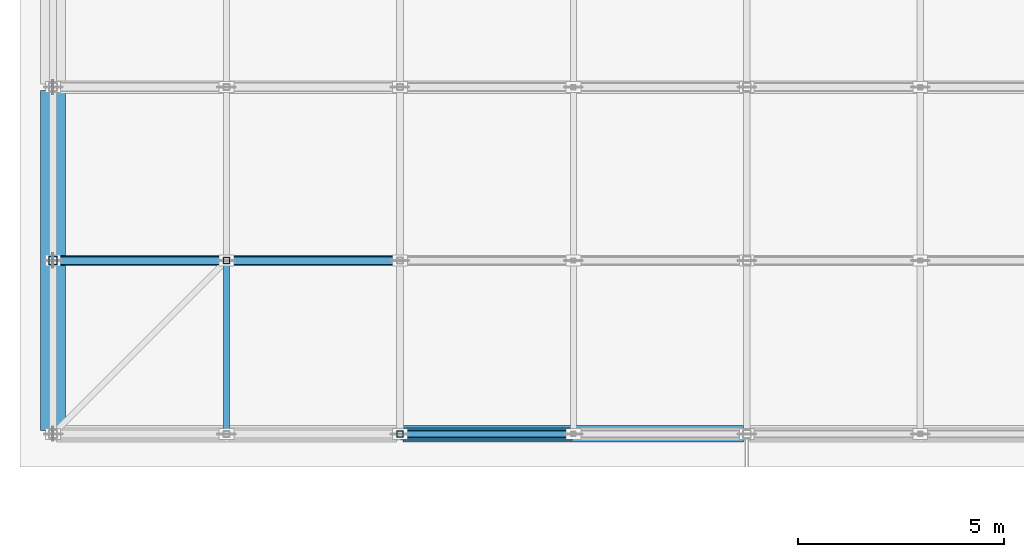
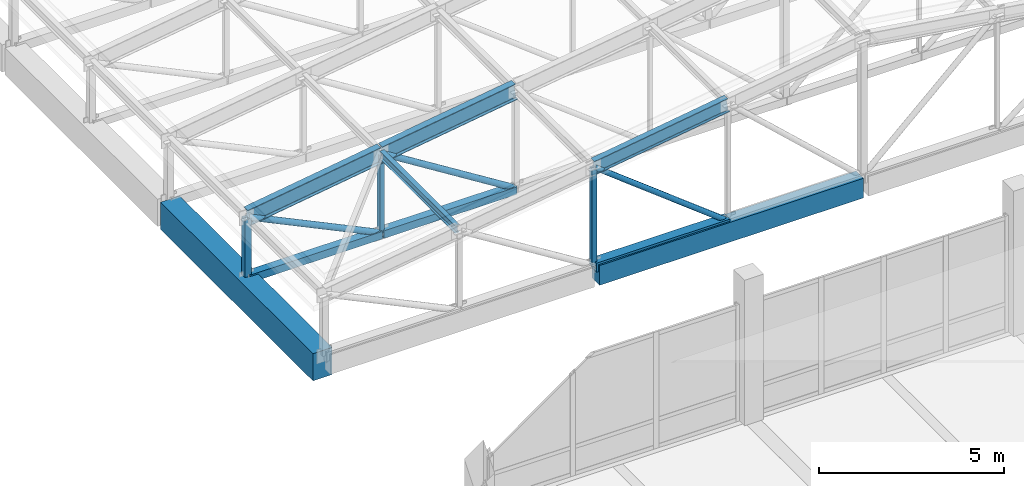
# One storey, part 24 of 122: 13 members, 2 beams.
"""IFC4 building model written with IfcOpenShell, lengths in metres."""

from ifc_helpers import new_model, si_unit, direction, frame, origin, origin_2d, place, context, subcontext, project, spatial, rectangle, hollow_rectangle, hollow_circle, i_section, extrude, material, material_profile, profile_set, type_object, element, save


model = new_model("IFC4")

# Units and contexts
model_context = context("Model", 3, precision=1e-05, world=origin(), true_north=direction((0.0, 1.0)))
body_context = subcontext(model_context, "Body", "Model", "MODEL_VIEW")
ifc_project = project(units=[si_unit("LENGTHUNIT", "METRE"), si_unit("AREAUNIT", "SQUARE_METRE"), si_unit("VOLUMEUNIT", "CUBIC_METRE"), si_unit("PLANEANGLEUNIT", "RADIAN"), si_unit("MASSUNIT", "GRAM", prefix="KILO")], contexts=[model_context])

# Site, building, storey
site_placement = place(None, origin())
site = spatial("IfcSite", under=ifc_project, at=site_placement, CompositionType="ELEMENT")
building_placement = place(site_placement, origin())
building = spatial("IfcBuilding", under=site, at=building_placement, Name="Telukmera Botanical Conservatory", CompositionType="ELEMENT")
storey_placement = place(building_placement, frame((0.0, 0.0, 10.199951171875)))
storey = spatial("IfcBuildingStorey", under=building, at=storey_placement, Name="L02", CompositionType="ELEMENT", Elevation=10.199951171875)

# Beams
ifc_material_1 = material(Name="Concrete C40/50", Category="concrete")
ifc_material_profile_1 = material_profile(ifc_material_1, rectangle(XDim=0.60009765625, YDim=0.89990234375, at=origin_2d()), Name="RC 600x900")
ifc_profile_set_1 = profile_set([ifc_material_profile_1], Name="Concrete C40/50")
beam_type_1 = type_object("IfcBeamType", Name="Beam_B3", PredefinedType="BEAM", material=ifc_profile_set_1)
beam_1_placement = place(storey_placement, frame((8.39990234375, 83.280029296875, -0.449951171875), z_axis=(0.0, 1.0, 0.0), x_axis=(-1.0, 0.0, 0.0)))
element("IfcBeam", 1, at=beam_1_placement, inside=storey, type_object=beam_type_1, Name="Auditorium Frame Beam beam:V2:L02:eave:84:832", PredefinedType="BEAM", context=body_context, shape_type="SweptSolid", body=[
    extrude(rectangle(XDim=0.60009765625, YDim=0.89990234375, at=origin_2d()), origin(), (0.0, 0.0, 1.0), 8.239990234375),
])
ifc_material_profile_2 = material_profile(ifc_material_1, rectangle(XDim=0.39990234375, YDim=0.64990234375, at=origin_2d()), Name="RC 400x650")
ifc_profile_set_2 = profile_set([ifc_material_profile_2], Name="Concrete C40/50")
beam_type_2 = type_object("IfcBeamType", Name="Beam_B8", PredefinedType="BEAM", material=ifc_profile_set_2)
beam_2_placement = place(storey_placement, frame((16.8798828125, 83.199951171875, -0.324951171875), z_axis=(1.0, 0.0, 0.0), x_axis=(0.0, 1.0, 0.0)))
element("IfcBeam", 2, at=beam_2_placement, inside=storey, type_object=beam_type_2, Name="Auditorium Frame Beam beam:V2:L02:port_x:832:168", PredefinedType="BEAM", context=body_context, shape_type="SweptSolid", body=[
    extrude(rectangle(XDim=0.39990234375, YDim=0.64990234375, at=origin_2d()), origin(), (0.0, 0.0, 1.0), 8.240234375),
])

# Members
ifc_material_2 = material(Name="Steel S355", Category="steel")
ifc_material_profile_3 = material_profile(ifc_material_2, i_section(OverallWidth=0.210693359375, OverallDepth=0.53955078125, WebThickness=0.01171875, FlangeThickness=0.018798828125, FilletRadius=0.0126953125, at=origin_2d()), Name="UB 533x210x109")
ifc_profile_set_3 = profile_set([ifc_material_profile_3], Name="Steel S355")
member_type_1 = type_object("IfcMemberType", Name="Mem_TC1", PredefinedType="CHORD", material=ifc_profile_set_3)
member_1_placement = place(storey_placement, frame((8.419921875, 87.39990234375, 1.923095703125), z_axis=(0.989021335912, 0.0, 0.147772788805), x_axis=(0.0, 1.0, 0.0)))
element("IfcMember", 3, at=member_1_placement, inside=storey, type_object=member_type_1, Name="Auditorium Pratt Truss Top Chord T2-1", PredefinedType="CHORD", context=body_context, shape_type="SweptSolid", body=[
    extrude(i_section(OverallWidth=0.210693359375, OverallDepth=0.53955078125, WebThickness=0.01171875, FlangeThickness=0.018798828125, FilletRadius=0.0126953125, at=origin_2d()), origin(), (0.0, 0.0, 1.0), 4.206298828125),
])
member_2_placement = place(storey_placement, frame((12.619873046875, 87.39990234375, 2.55078125), z_axis=(0.989022603236, 0.0, 0.147764306545), x_axis=(0.0, 1.0, 0.0)))
element("IfcMember", 4, at=member_2_placement, inside=storey, type_object=member_type_1, Name="Auditorium Pratt Truss Top Chord T2-2", PredefinedType="CHORD", context=body_context, shape_type="SweptSolid", body=[
    extrude(i_section(OverallWidth=0.210693359375, OverallDepth=0.53955078125, WebThickness=0.01171875, FlangeThickness=0.018798828125, FilletRadius=0.0126953125, at=origin_2d()), origin(), (0.0, 0.0, 1.0), 4.20654296875),
])
ifc_material_profile_4 = material_profile(ifc_material_2, hollow_rectangle(XDim=0.25, YDim=0.25, WallThickness=0.012451171875, at=origin_2d()), Name="SHS 250x250x12.5")
ifc_profile_set_4 = profile_set([ifc_material_profile_4], Name="Steel S355")
member_type_2 = type_object("IfcMemberType", Name="Mem_TC2", PredefinedType="CHORD", material=ifc_profile_set_4)
member_3_placement = place(storey_placement, frame((8.39990234375, 87.39990234375, -0.079833984375), z_axis=(1.0, 0.0, 0.0), x_axis=(0.0, 1.0, 0.0)))
element("IfcMember", 5, at=member_3_placement, inside=storey, type_object=member_type_2, Name="Auditorium Pratt Truss Bottom Chord T2-1", PredefinedType="CHORD", context=body_context, shape_type="SweptSolid", body=[
    extrude(hollow_rectangle(XDim=0.25, YDim=0.25, WallThickness=0.012451171875, at=origin_2d()), origin(), (0.0, 0.0, 1.0), 4.18017578125),
])
member_4_placement = place(storey_placement, frame((12.6201171875, 87.39990234375, -0.079833984375), z_axis=(1.0, 0.0, 0.0), x_axis=(0.0, 1.0, 0.0)))
element("IfcMember", 6, at=member_4_placement, inside=storey, type_object=member_type_2, Name="Auditorium Pratt Truss Bottom Chord T2-2", PredefinedType="CHORD", context=body_context, shape_type="SweptSolid", body=[
    extrude(hollow_rectangle(XDim=0.25, YDim=0.25, WallThickness=0.012451171875, at=origin_2d()), origin(), (0.0, 0.0, 1.0), 4.159912109375),
])
ifc_material_profile_5 = material_profile(ifc_material_2, hollow_rectangle(XDim=0.300048828125, YDim=0.300048828125, WallThickness=0.012451171875, at=origin_2d()), Name="SHS 300x300x12.5")
ifc_profile_set_5 = profile_set([ifc_material_profile_5], Name="Steel S355")
member_type_3 = type_object("IfcMemberType", Name="Mem_TC3", PredefinedType="CHORD", material=ifc_profile_set_5)
member_5_placement = place(storey_placement, frame((16.820068359375, 83.199951171875, -0.079833984375), z_axis=(1.0, 0.0, 0.0), x_axis=(0.0, 1.0, 0.0)))
element("IfcMember", 7, at=member_5_placement, inside=storey, type_object=member_type_3, Name="Auditorium Pratt Truss Bottom Chord T1-3", PredefinedType="CHORD", context=body_context, shape_type="SweptSolid", body=[
    extrude(hollow_rectangle(XDim=0.300048828125, YDim=0.300048828125, WallThickness=0.012451171875, at=origin_2d()), origin(), (0.0, 0.0, 1.0), 4.159912109375),
])
ifc_material_profile_6 = material_profile(ifc_material_2, i_section(OverallWidth=0.19140625, OverallDepth=0.4599609375, WebThickness=0.010009765625, FlangeThickness=0.01611328125, FilletRadius=0.01025390625, at=origin_2d()), Name="UB 457x191x82")
ifc_profile_set_6 = profile_set([ifc_material_profile_6], Name="Steel S355")
member_type_4 = type_object("IfcMemberType", Name="Mem_TC4", PredefinedType="CHORD", material=ifc_profile_set_6)
member_6_placement = place(storey_placement, frame((16.81982421875, 83.199951171875, 3.178466796875), z_axis=(0.989022603236, 0.0, 0.147764306545), x_axis=(0.0, 1.0, 0.0)))
element("IfcMember", 8, at=member_6_placement, inside=storey, type_object=member_type_4, Name="Auditorium Pratt Truss Top Chord T1-3", PredefinedType="CHORD", context=body_context, shape_type="SweptSolid", body=[
    extrude(i_section(OverallWidth=0.19140625, OverallDepth=0.4599609375, WebThickness=0.010009765625, FlangeThickness=0.01611328125, FilletRadius=0.01025390625, at=origin_2d()), origin(), (0.0, 0.0, 1.0), 4.20654296875),
])
ifc_material_profile_7 = material_profile(ifc_material_2, hollow_circle(Radius=0.096923828125, WallThickness=0.008056640625, at=origin_2d()), Name="CHS 193.7x8.0")
ifc_profile_set_7 = profile_set([ifc_material_profile_7], Name="Steel S355")
member_type_5 = type_object("IfcMemberType", Name="Mem_TD1", PredefinedType="BRACE", material=ifc_profile_set_7)
member_7_placement = place(storey_placement, frame((8.427001953125, 87.39990234375, 1.9072265625), z_axis=(0.902853639645, 0.0, -0.42994802637), x_axis=(0.0, 1.0, 0.0)))
element("IfcMember", 9, at=member_7_placement, inside=storey, type_object=member_type_5, Name="Auditorium Pratt Truss Web Diagonal T2-D1", PredefinedType="BRACE", context=body_context, shape_type="SweptSolid", body=[
    extrude(hollow_circle(Radius=0.096923828125, WallThickness=0.008056640625, at=origin_2d()), origin(), (0.0, 0.0, 1.0), 4.592041015625),
])
member_8_placement = place(storey_placement, frame((12.62548828125, 87.39990234375, 2.53173828125), z_axis=(0.84777122797, 0.0, -0.530362088601), x_axis=(0.0, 1.0, 0.0)))
element("IfcMember", 10, at=member_8_placement, inside=storey, type_object=member_type_5, Name="Auditorium Pratt Truss Web Diagonal T2-D2", PredefinedType="BRACE", context=body_context, shape_type="SweptSolid", body=[
    extrude(hollow_circle(Radius=0.096923828125, WallThickness=0.008056640625, at=origin_2d()), origin(), (0.0, 0.0, 1.0), 4.894287109375),
])
ifc_material_profile_8 = material_profile(ifc_material_2, hollow_circle(Radius=0.084228515625, WallThickness=0.008056640625, at=origin_2d()), Name="CHS 168.3x8.0")
ifc_profile_set_8 = profile_set([ifc_material_profile_8], Name="Steel S355")
member_type_6 = type_object("IfcMemberType", Name="Mem_TD2", PredefinedType="BRACE", material=ifc_profile_set_8)
member_9_placement = place(storey_placement, frame((16.82373046875, 83.199951171875, 3.156982421875), z_axis=(0.790391989469, 0.0, -0.61260142261), x_axis=(0.0, 1.0, 0.0)))
element("IfcMember", 11, at=member_9_placement, inside=storey, type_object=member_type_6, Name="Auditorium Pratt Truss Web Diagonal T1-D3", PredefinedType="BRACE", context=body_context, shape_type="SweptSolid", body=[
    extrude(hollow_circle(Radius=0.084228515625, WallThickness=0.008056640625, at=origin_2d()), origin(), (0.0, 0.0, 1.0), 5.25390625),
])
ifc_material_profile_9 = material_profile(ifc_material_2, i_section(OverallWidth=0.146484375, OverallDepth=0.256103515625, WebThickness=0.00634765625, FlangeThickness=0.010986328125, FilletRadius=0.007568359375, at=origin_2d()), Name="UB 254x146x37")
ifc_profile_set_9 = profile_set([ifc_material_profile_9], Name="Steel S355")
member_type_7 = type_object("IfcMemberType", Name="Mem_TPB2", PredefinedType="PURLIN", material=ifc_profile_set_9)
member_10_placement = place(storey_placement, frame((12.60009765625, 83.260009765625, 2.5478515625), z_axis=(0.0, 1.0, 0.0), x_axis=(-1.0, 0.0, 0.0)))
element("IfcMember", 12, at=member_10_placement, inside=storey, type_object=member_type_7, Name="Auditorium Roof Steel Purlin P1-1", PredefinedType="PURLIN", context=body_context, shape_type="SweptSolid", body=[
    extrude(i_section(OverallWidth=0.146484375, OverallDepth=0.256103515625, WebThickness=0.00634765625, FlangeThickness=0.010986328125, FilletRadius=0.007568359375, at=origin_2d()), origin(), (0.0, 0.0, 1.0), 4.080078125),
])
ifc_material_profile_10 = material_profile(ifc_material_2, hollow_rectangle(XDim=0.199951171875, YDim=0.199951171875, WallThickness=0.010009765625, at=origin_2d()), Name="SHS 200x200x10.0")
ifc_profile_set_10 = profile_set([ifc_material_profile_10], Name="Steel S355")
member_type_8 = type_object("IfcMemberType", Name="Mem_TV1", PredefinedType="POST", material=ifc_profile_set_10)
member_11_placement = place(storey_placement, frame((8.39990234375, 87.39990234375, -0.06005859375), z_axis=(0.0, 0.0, 1.0), x_axis=(1.0, 0.0, 0.0)))
element("IfcMember", 13, at=member_11_placement, inside=storey, type_object=member_type_8, Name="Auditorium Pratt Truss Vertical T2-V0", PredefinedType="POST", context=body_context, shape_type="SweptSolid", body=[
    extrude(hollow_rectangle(XDim=0.199951171875, YDim=0.199951171875, WallThickness=0.010009765625, at=origin_2d()), origin(), (0.0, 0.0, 1.0), 1.960205078125),
])
ifc_material_profile_11 = material_profile(ifc_material_2, hollow_rectangle(XDim=0.14990234375, YDim=0.14990234375, WallThickness=0.008056640625, at=origin_2d()), Name="SHS 150x150x8.0")
ifc_profile_set_11 = profile_set([ifc_material_profile_11], Name="Steel S355")
member_type_9 = type_object("IfcMemberType", Name="Mem_TV2", PredefinedType="POST", material=ifc_profile_set_11)
member_12_placement = place(storey_placement, frame((16.800048828125, 83.199951171875, -0.06005859375), z_axis=(0.0, 0.0, 1.0), x_axis=(1.0, 0.0, 0.0)))
element("IfcMember", 14, at=member_12_placement, inside=storey, type_object=member_type_9, Name="Auditorium Pratt Truss Vertical T1-V2", PredefinedType="POST", context=body_context, shape_type="SweptSolid", body=[
    extrude(hollow_rectangle(XDim=0.14990234375, YDim=0.14990234375, WallThickness=0.008056640625, at=origin_2d()), origin(), (0.0, 0.0, 1.0), 3.215576171875),
])
member_13_placement = place(storey_placement, frame((12.60009765625, 87.39990234375, -0.06005859375), z_axis=(0.0, 0.0, 1.0), x_axis=(1.0, 0.0, 0.0)))
element("IfcMember", 15, at=member_13_placement, inside=storey, type_object=member_type_9, Name="Auditorium Pratt Truss Vertical T2-V1", PredefinedType="POST", context=body_context, shape_type="SweptSolid", body=[
    extrude(hollow_rectangle(XDim=0.14990234375, YDim=0.14990234375, WallThickness=0.008056640625, at=origin_2d()), origin(), (0.0, 0.0, 1.0), 2.587890625),
])

save(model, "model.ifc")
